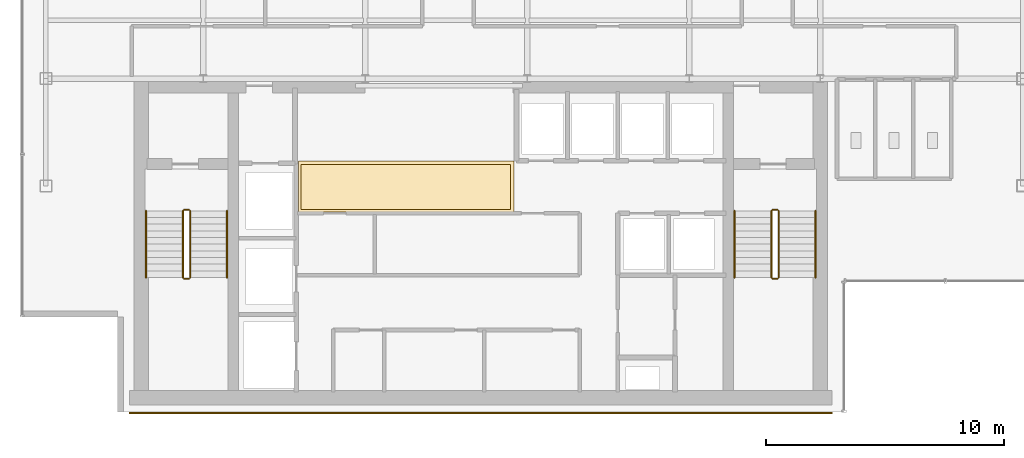
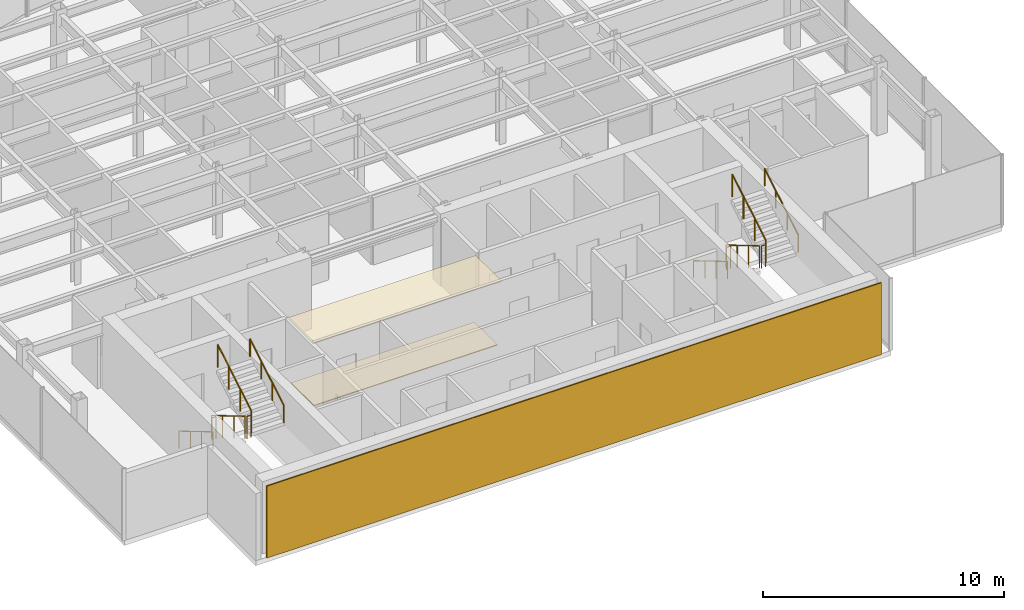
# One storey, part 20 of 22: 12 railings, 3 coverings.
"""IFC4 building model written with IfcOpenShell, lengths in metres."""

from ifc_helpers import new_model, si_unit, derived_unit, direction, frame, origin, origin_2d, place, context, subcontext, project, spatial, polyline, rectangle, circle, outline, extrude, source, transform, mapped, material, layer, layer_set, type_object, element, save


model = new_model("IFC4")

# Units and contexts
model_context = context("Model", 3, precision=1e-05, world=origin(), true_north=direction((0.0, 1.0)))
body_context = subcontext(model_context, "Body", "Model", "MODEL_VIEW")
ifc_project = project(units=[si_unit("LENGTHUNIT", "METRE"), si_unit("AREAUNIT", "SQUARE_METRE"), si_unit("VOLUMEUNIT", "CUBIC_METRE"), si_unit("PLANEANGLEUNIT", "RADIAN"), si_unit("MASSUNIT", "GRAM", prefix="KILO"), derived_unit("THERMALTRANSMITTANCEUNIT", [(si_unit("POWERUNIT", "WATT"), 1), (si_unit("LENGTHUNIT", "METRE"), -2), (si_unit("THERMODYNAMICTEMPERATUREUNIT", "KELVIN"), -1)])], contexts=[model_context])

# Site, building, storey
site_placement = place(None, origin())
site = spatial("IfcSite", under=ifc_project, at=site_placement, CompositionType="ELEMENT")
building_placement = place(site_placement, origin())
building = spatial("IfcBuilding", under=site, at=building_placement, Name="Skarnbrae Concourse Arena and Tower", CompositionType="ELEMENT")
storey_placement = place(building_placement, frame((0.0, 0.0, 269.75)))
storey = spatial("IfcBuildingStorey", under=building, at=storey_placement, Name="L70", CompositionType="ELEMENT", Elevation=269.75)

# Coverings
ifc_material_1 = material(Name="Mineral fibre acoustic ceiling tile", Category="other")
ifc_layer_1 = layer(ifc_material_1, 0.0400390625)
ifc_layer_set_1 = layer_set([ifc_layer_1], Name="Mineral fibre acoustic ceiling tile")
covering_type_1 = type_object("IfcCoveringType", Name="COV-CEIL-ACOUSTIC", PredefinedType="CEILING", material=ifc_layer_set_1)
covering_1_placement = place(storey_placement, frame((0.0, 0.0, 3.239990234375)))
element("IfcCovering", 1, at=covering_1_placement, inside=storey, type_object=covering_type_1, Name="L70 Lift lobby acoustic ceiling", PredefinedType="CEILING", context=body_context, shape_type="SweptSolid", body=[
    extrude(outline(polyline([(11.60009765625, 8.39990234375), (20.64990234375, 8.39990234375), (20.64990234375, 10.550048828125), (11.60009765625, 10.550048828125), (11.60009765625, 8.39990234375)])), origin(), (0.0, 0.0, 1.0), 0.0400390625),
])
ifc_material_2 = material(Name="Polished granite terrazzo flooring", Category="masonry")
ifc_layer_2 = layer(ifc_material_2, 0.0400390625)
ifc_layer_set_2 = layer_set([ifc_layer_2], Name="Polished granite terrazzo flooring")
covering_type_2 = type_object("IfcCoveringType", Name="COV-FLOOR-TERRAZZO", PredefinedType="FLOORING", material=ifc_layer_set_2)
covering_2_placement = place(storey_placement, origin())
element("IfcCovering", 2, at=covering_2_placement, inside=storey, type_object=covering_type_2, Name="L70 Lift lobby terrazzo flooring", PredefinedType="FLOORING", context=body_context, shape_type="SweptSolid", body=[
    extrude(outline(polyline([(11.699951171875, 8.5), (20.5, 8.5), (20.5, 10.39990234375), (11.699951171875, 10.39990234375), (11.699951171875, 8.5)])), origin(), (0.0, 0.0, 1.0), 0.0400390625),
])

# Railings
ifc_material_3 = material(Name="Steel CSA G40.21 350W", Category="steel")
railing_type_1 = type_object("IfcRailingType", Name="RAIL-HANDRAIL-900", PredefinedType="HANDRAIL", material=ifc_material_3)
railing_1_placement = place(storey_placement, frame((5.199951171875, 8.449951171875, 0.166015625)))
element("IfcRailing", 3, at=railing_1_placement, inside=storey, type_object=railing_type_1, Name="L70 ST-1 stair handrail 1", PredefinedType="HANDRAIL", context=body_context, shape_type="SweptSolid", body=[
    extrude(circle(Radius=0.02392578125, at=origin_2d()), frame((0.0, 0.0, 0.8759765625), z_axis=(0.0, -0.860339051648, 0.50972219513), x_axis=(1.0, 0.0, 0.0)), (0.0, 0.0, 1.0), 3.254638671875),
    extrude(circle(Radius=0.02099609375, at=origin_2d()), origin(), (0.0, 0.0, 1.0), 0.851806640625),
    extrude(circle(Radius=0.02099609375, at=origin_2d()), frame((0.0, -0.933349609375, 0.552978515625)), (0.0, 0.0, 1.0), 0.851806640625),
    extrude(circle(Radius=0.02099609375, at=origin_2d()), frame((0.0, -1.86669921875, 1.10595703125)), (0.0, 0.0, 1.0), 0.851806640625),
    extrude(circle(Radius=0.02099609375, at=origin_2d()), frame((0.0, -2.800048828125, 1.658935546875)), (0.0, 0.0, 1.0), 0.851806640625),
])
railing_2_placement = place(storey_placement, frame((8.60009765625, 5.64990234375, 1.990966796875)))
element("IfcRailing", 4, at=railing_2_placement, inside=storey, type_object=railing_type_1, Name="L70 ST-1 stair handrail 2", PredefinedType="HANDRAIL", context=body_context, shape_type="SweptSolid", body=[
    extrude(circle(Radius=0.02392578125, at=origin_2d()), frame((0.0, 0.0, 0.8759765625), z_axis=(0.0, 0.860339051648, 0.50972219513), x_axis=(-1.0, 0.0, 0.0)), (0.0, 0.0, 1.0), 3.254638671875),
    extrude(circle(Radius=0.02099609375, at=origin_2d()), origin(), (0.0, 0.0, 1.0), 0.851806640625),
    extrude(circle(Radius=0.02099609375, at=origin_2d()), frame((0.0, 0.933349609375, 0.552978515625)), (0.0, 0.0, 1.0), 0.851806640625),
    extrude(circle(Radius=0.02099609375, at=origin_2d()), frame((0.0, 1.86669921875, 1.10595703125)), (0.0, 0.0, 1.0), 0.851806640625),
    extrude(circle(Radius=0.02099609375, at=origin_2d()), frame((0.0, 2.800048828125, 1.658935546875)), (0.0, 0.0, 1.0), 0.851806640625),
])
railing_3_placement = place(storey_placement, frame((29.89990234375, 8.449951171875, 0.166015625)))
element("IfcRailing", 5, at=railing_3_placement, inside=storey, type_object=railing_type_1, Name="L70 ST-2 stair handrail 1", PredefinedType="HANDRAIL", context=body_context, shape_type="SweptSolid", body=[
    extrude(circle(Radius=0.02392578125, at=origin_2d()), frame((0.0, 0.0, 0.8759765625), z_axis=(0.0, -0.860339051648, 0.50972219513), x_axis=(1.0, 0.0, 0.0)), (0.0, 0.0, 1.0), 3.254638671875),
    extrude(circle(Radius=0.02099609375, at=origin_2d()), origin(), (0.0, 0.0, 1.0), 0.851806640625),
    extrude(circle(Radius=0.02099609375, at=origin_2d()), frame((0.0, -0.933349609375, 0.552978515625)), (0.0, 0.0, 1.0), 0.851806640625),
    extrude(circle(Radius=0.02099609375, at=origin_2d()), frame((0.0, -1.86669921875, 1.10595703125)), (0.0, 0.0, 1.0), 0.851806640625),
    extrude(circle(Radius=0.02099609375, at=origin_2d()), frame((0.0, -2.800048828125, 1.658935546875)), (0.0, 0.0, 1.0), 0.851806640625),
])
railing_4_placement = place(storey_placement, frame((33.300048828125, 5.64990234375, 1.990966796875)))
element("IfcRailing", 6, at=railing_4_placement, inside=storey, type_object=railing_type_1, Name="L70 ST-2 stair handrail 2", PredefinedType="HANDRAIL", context=body_context, shape_type="SweptSolid", body=[
    extrude(circle(Radius=0.02392578125, at=origin_2d()), frame((0.0, 0.0, 0.8759765625), z_axis=(0.0, 0.860339051648, 0.50972219513), x_axis=(-1.0, 0.0, 0.0)), (0.0, 0.0, 1.0), 3.254638671875),
    extrude(circle(Radius=0.02099609375, at=origin_2d()), origin(), (0.0, 0.0, 1.0), 0.851806640625),
    extrude(circle(Radius=0.02099609375, at=origin_2d()), frame((0.0, 0.933349609375, 0.552978515625)), (0.0, 0.0, 1.0), 0.851806640625),
    extrude(circle(Radius=0.02099609375, at=origin_2d()), frame((0.0, 1.86669921875, 1.10595703125)), (0.0, 0.0, 1.0), 0.851806640625),
    extrude(circle(Radius=0.02099609375, at=origin_2d()), frame((0.0, 2.800048828125, 1.658935546875)), (0.0, 0.0, 1.0), 0.851806640625),
])
railing_type_2 = type_object("IfcRailingType", Name="RAIL-STAIR-GUARD-1150", PredefinedType="GUARDRAIL", material=ifc_material_3)
railing_5_placement = place(storey_placement, frame((6.75, 8.449951171875, 0.166015625)))
element("IfcRailing", 7, at=railing_5_placement, inside=storey, type_object=railing_type_2, Name="L70 ST-1 stair guard 1", PredefinedType="GUARDRAIL", context=body_context, shape_type="SweptSolid", body=[
    extrude(circle(Radius=0.02392578125, at=origin_2d()), frame((0.0, 0.0, 1.1259765625), z_axis=(0.0, -0.860339051648, 0.50972219513), x_axis=(1.0, 0.0, 0.0)), (0.0, 0.0, 1.0), 3.254638671875),
    extrude(circle(Radius=0.02099609375, at=origin_2d()), origin(), (0.0, 0.0, 1.0), 1.101806640625),
    extrude(circle(Radius=0.02099609375, at=origin_2d()), frame((0.0, -0.933349609375, 0.552978515625)), (0.0, 0.0, 1.0), 1.101806640625),
    extrude(circle(Radius=0.02099609375, at=origin_2d()), frame((0.0, -1.86669921875, 1.10595703125)), (0.0, 0.0, 1.0), 1.101806640625),
    extrude(circle(Radius=0.02099609375, at=origin_2d()), frame((0.0, -2.800048828125, 1.658935546875)), (0.0, 0.0, 1.0), 1.101806640625),
])
railing_6_placement = place(storey_placement, frame((6.800048828125, 5.60009765625, 1.824951171875)))
element("IfcRailing", 8, at=railing_6_placement, inside=storey, type_object=railing_type_2, Name="L70 ST-1 stair guard 2", PredefinedType="GUARDRAIL", context=body_context, shape_type="SweptSolid", body=[
    extrude(circle(Radius=0.02392578125, at=origin_2d()), frame((0.0, 0.0, 1.1259765625), z_axis=(1.0, 0.0, 0.0), x_axis=(0.0, 1.0, 0.0)), (0.0, 0.0, 1.0), 0.199951171875),
    extrude(circle(Radius=0.02099609375, at=origin_2d()), origin(), (0.0, 0.0, 1.0), 1.101806640625),
    extrude(circle(Radius=0.02099609375, at=origin_2d()), frame((0.199951171875, 0.0, 0.0)), (0.0, 0.0, 1.0), 1.101806640625),
])
railing_7_placement = place(storey_placement, frame((7.050048828125, 5.64990234375, 1.990966796875)))
element("IfcRailing", 9, at=railing_7_placement, inside=storey, type_object=railing_type_2, Name="L70 ST-1 stair guard 3", PredefinedType="GUARDRAIL", context=body_context, shape_type="SweptSolid", body=[
    extrude(circle(Radius=0.02392578125, at=origin_2d()), frame((0.0, 0.0, 1.1259765625), z_axis=(0.0, 0.860339051648, 0.50972219513), x_axis=(-1.0, 0.0, 0.0)), (0.0, 0.0, 1.0), 3.254638671875),
    extrude(circle(Radius=0.02099609375, at=origin_2d()), origin(), (0.0, 0.0, 1.0), 1.101806640625),
    extrude(circle(Radius=0.02099609375, at=origin_2d()), frame((0.0, 0.933349609375, 0.552978515625)), (0.0, 0.0, 1.0), 1.101806640625),
    extrude(circle(Radius=0.02099609375, at=origin_2d()), frame((0.0, 1.86669921875, 1.10595703125)), (0.0, 0.0, 1.0), 1.101806640625),
    extrude(circle(Radius=0.02099609375, at=origin_2d()), frame((0.0, 2.800048828125, 1.658935546875)), (0.0, 0.0, 1.0), 1.101806640625),
])
railing_8_placement = place(storey_placement, frame((6.800048828125, 8.5, 0.0)))
element("IfcRailing", 10, at=railing_8_placement, inside=storey, type_object=railing_type_2, Name="L70 ST-1 stair guard 4", PredefinedType="GUARDRAIL", context=body_context, shape_type="SweptSolid", body=[
    extrude(circle(Radius=0.02392578125, at=origin_2d()), frame((0.0, 0.0, 1.1259765625), z_axis=(1.0, 0.0, 0.0), x_axis=(0.0, 1.0, 0.0)), (0.0, 0.0, 1.0), 0.199951171875),
    extrude(circle(Radius=0.02099609375, at=origin_2d()), origin(), (0.0, 0.0, 1.0), 1.101806640625),
    extrude(circle(Radius=0.02099609375, at=origin_2d()), frame((0.199951171875, 0.0, 0.0)), (0.0, 0.0, 1.0), 1.101806640625),
])
railing_9_placement = place(storey_placement, frame((31.449951171875, 8.449951171875, 0.166015625)))
element("IfcRailing", 11, at=railing_9_placement, inside=storey, type_object=railing_type_2, Name="L70 ST-2 stair guard 1", PredefinedType="GUARDRAIL", context=body_context, shape_type="SweptSolid", body=[
    extrude(circle(Radius=0.02392578125, at=origin_2d()), frame((0.0, 0.0, 1.1259765625), z_axis=(0.0, -0.860339051648, 0.50972219513), x_axis=(1.0, 0.0, 0.0)), (0.0, 0.0, 1.0), 3.254638671875),
    extrude(circle(Radius=0.02099609375, at=origin_2d()), origin(), (0.0, 0.0, 1.0), 1.101806640625),
    extrude(circle(Radius=0.02099609375, at=origin_2d()), frame((0.0, -0.933349609375, 0.552978515625)), (0.0, 0.0, 1.0), 1.101806640625),
    extrude(circle(Radius=0.02099609375, at=origin_2d()), frame((0.0, -1.86669921875, 1.10595703125)), (0.0, 0.0, 1.0), 1.101806640625),
    extrude(circle(Radius=0.02099609375, at=origin_2d()), frame((0.0, -2.800048828125, 1.658935546875)), (0.0, 0.0, 1.0), 1.101806640625),
])
railing_10_placement = place(storey_placement, frame((31.5, 5.60009765625, 1.824951171875)))
element("IfcRailing", 12, at=railing_10_placement, inside=storey, type_object=railing_type_2, Name="L70 ST-2 stair guard 2", PredefinedType="GUARDRAIL", context=body_context, shape_type="SweptSolid", body=[
    extrude(circle(Radius=0.02392578125, at=origin_2d()), frame((0.0, 0.0, 1.1259765625), z_axis=(1.0, 0.0, 0.0), x_axis=(0.0, 1.0, 0.0)), (0.0, 0.0, 1.0), 0.199951171875),
    extrude(circle(Radius=0.02099609375, at=origin_2d()), origin(), (0.0, 0.0, 1.0), 1.101806640625),
    extrude(circle(Radius=0.02099609375, at=origin_2d()), frame((0.199951171875, 0.0, 0.0)), (0.0, 0.0, 1.0), 1.101806640625),
])
railing_11_placement = place(storey_placement, frame((31.75, 5.64990234375, 1.990966796875)))
element("IfcRailing", 13, at=railing_11_placement, inside=storey, type_object=railing_type_2, Name="L70 ST-2 stair guard 3", PredefinedType="GUARDRAIL", context=body_context, shape_type="SweptSolid", body=[
    extrude(circle(Radius=0.02392578125, at=origin_2d()), frame((0.0, 0.0, 1.1259765625), z_axis=(0.0, 0.860339051648, 0.50972219513), x_axis=(-1.0, 0.0, 0.0)), (0.0, 0.0, 1.0), 3.254638671875),
    extrude(circle(Radius=0.02099609375, at=origin_2d()), origin(), (0.0, 0.0, 1.0), 1.101806640625),
    extrude(circle(Radius=0.02099609375, at=origin_2d()), frame((0.0, 0.933349609375, 0.552978515625)), (0.0, 0.0, 1.0), 1.101806640625),
    extrude(circle(Radius=0.02099609375, at=origin_2d()), frame((0.0, 1.86669921875, 1.10595703125)), (0.0, 0.0, 1.0), 1.101806640625),
    extrude(circle(Radius=0.02099609375, at=origin_2d()), frame((0.0, 2.800048828125, 1.658935546875)), (0.0, 0.0, 1.0), 1.101806640625),
])
railing_12_placement = place(storey_placement, frame((31.5, 8.5, 0.0)))
element("IfcRailing", 14, at=railing_12_placement, inside=storey, type_object=railing_type_2, Name="L70 ST-2 stair guard 4", PredefinedType="GUARDRAIL", context=body_context, shape_type="SweptSolid", body=[
    extrude(circle(Radius=0.02392578125, at=origin_2d()), frame((0.0, 0.0, 1.1259765625), z_axis=(1.0, 0.0, 0.0), x_axis=(0.0, 1.0, 0.0)), (0.0, 0.0, 1.0), 0.199951171875),
    extrude(circle(Radius=0.02099609375, at=origin_2d()), origin(), (0.0, 0.0, 1.0), 1.101806640625),
    extrude(circle(Radius=0.02099609375, at=origin_2d()), frame((0.199951171875, 0.0, 0.0)), (0.0, 0.0, 1.0), 1.101806640625),
])

# Covering
ifc_material_4 = material(Name="Bronze anodised aluminium 6063-T6", Category="aluminium")
ifc_layer_3 = layer(ifc_material_4, 0.06005859375)
ifc_layer_set_3 = layer_set([ifc_layer_3], Name="Bronze anodised aluminium 6063-T6")
covering_type_3 = type_object("IfcCoveringType", Name="COV-CLAD-BRONZE-60", PredefinedType="CLADDING", material=ifc_layer_set_3)
shared_shape = source(origin(), body_context, "Body", "SweptSolid", [
    extrude(rectangle(XDim=29.5, YDim=0.06005859375, at=origin_2d()), origin(), (0.0, 0.0, 1.0), 3.64990234375),
])
covering_3_placement = place(storey_placement, frame((19.25, -0.030029296875, 0.0), z_axis=(0.0, 0.0, 1.0), x_axis=(1.0, 0.0, 0.0)))
element("IfcCovering", 15, at=covering_3_placement, inside=storey, type_object=covering_type_3, Name="L70 Rear-core plumb spine bronze rainscreen panel", PredefinedType="CLADDING", context=body_context, shape_type="MappedRepresentation", body=[
    mapped(shared_shape, transform((0.0, 0.0, 0.0))),
])

save(model, "model.ifc")
